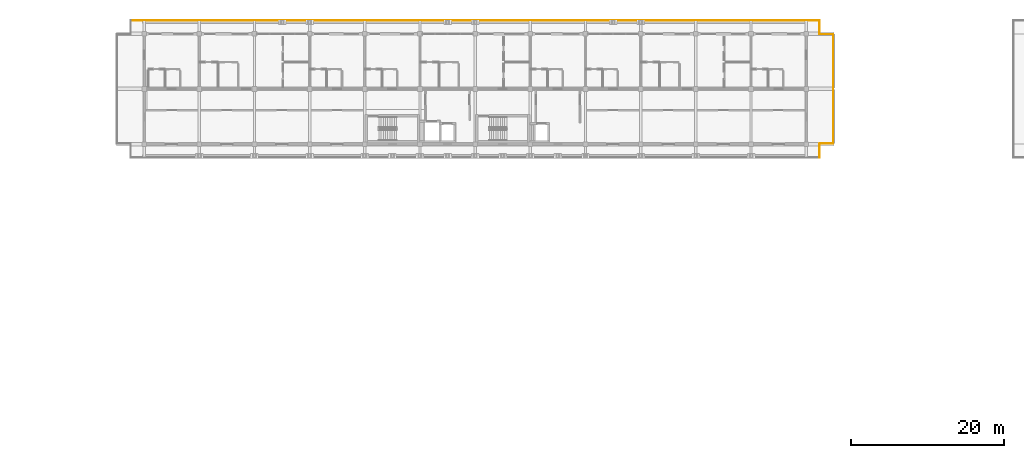
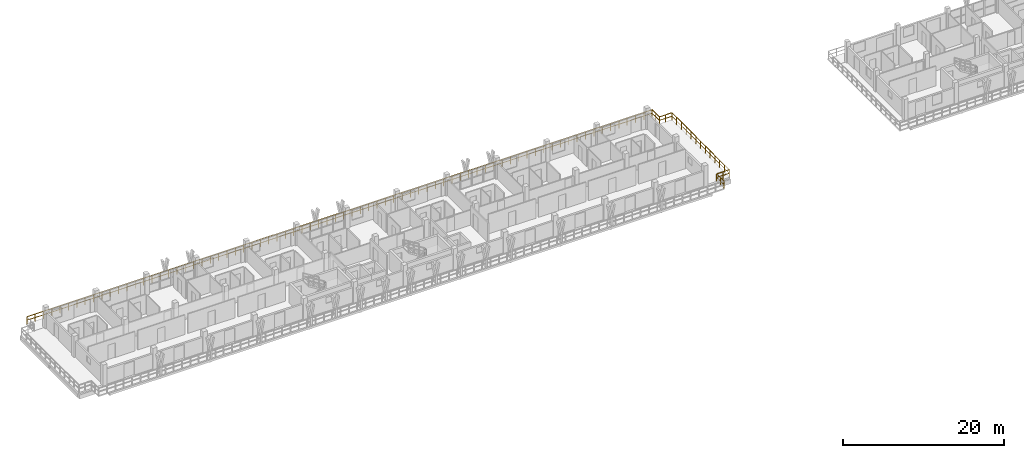
# One storey, part 58 of 65: 6 railings.
"""IFC4 building model written with IfcOpenShell, lengths in metres."""

from ifc_helpers import new_model, si_unit, direction, frame, origin, origin_2d, place, context, subcontext, project, spatial, rectangle, extrude, material, type_object, element, save


model = new_model("IFC4")

# Units and contexts
model_context = context("Model", 3, precision=1e-05, world=origin(), true_north=direction((0.0, 1.0)))
body_context = subcontext(model_context, "Body", "Model", "MODEL_VIEW")
ifc_project = project(units=[si_unit("LENGTHUNIT", "METRE"), si_unit("AREAUNIT", "SQUARE_METRE"), si_unit("VOLUMEUNIT", "CUBIC_METRE"), si_unit("PLANEANGLEUNIT", "RADIAN"), si_unit("MASSUNIT", "GRAM", prefix="KILO")], contexts=[model_context])

# Site, building, storey
site_placement = place(None, origin())
site = spatial("IfcSite", under=ifc_project, at=site_placement, CompositionType="ELEMENT")
building_placement = place(site_placement, origin())
building = spatial("IfcBuilding", under=site, at=building_placement, Name="Suanplinth Sawtooth Commons", CompositionType="ELEMENT")
storey_placement = place(building_placement, frame((0.0, 0.0, 28.300048828125)))
storey = spatial("IfcBuildingStorey", under=building, at=storey_placement, Name="L08", CompositionType="ELEMENT", Elevation=28.300048828125)

# Railings
ifc_material = material(Name="Powder-coated galvanized steel", Category="steel")
railing_type = type_object("IfcRailingType", Name="GR-01", PredefinedType="BALUSTRADE", material=ifc_material)
railing_1_placement = place(storey_placement, frame((12.659912109375, 124.139892578125, 0.0)))
element("IfcRailing", 1, at=railing_1_placement, inside=storey, type_object=railing_type, Name="L08 Block A Perimeter Balustrade 5", PredefinedType="BALUSTRADE", context=body_context, shape_type="SweptSolid", body=[
    extrude(rectangle(XDim=0.048095703125, YDim=0.048095703125, at=origin_2d()), frame((0.0, 0.0, 1.09619140625), z_axis=(1.0, 0.0, 0.0), x_axis=(0.0, 1.0, 0.0)), (0.0, 0.0, 1.0), 89.880126953125),
    extrude(rectangle(XDim=0.03369140625, YDim=0.03369140625, at=origin_2d()), frame((0.0, 0.0, 0.56005859375), z_axis=(1.0, 0.0, 0.0), x_axis=(0.0, 1.0, 0.0)), (0.0, 0.0, 1.0), 89.880126953125),
    extrude(rectangle(XDim=0.0419921875, YDim=0.0419921875, at=origin_2d()), origin(), (0.0, 0.0, 1.0), 1.072021484375),
    extrude(rectangle(XDim=0.0419921875, YDim=0.0419921875, at=origin_2d()), frame((1.198486328125, 0.0, 0.0)), (0.0, 0.0, 1.0), 1.072021484375),
    extrude(rectangle(XDim=0.0419921875, YDim=0.0419921875, at=origin_2d()), frame((2.396728515625, 0.0, 0.0)), (0.0, 0.0, 1.0), 1.072021484375),
    extrude(rectangle(XDim=0.0419921875, YDim=0.0419921875, at=origin_2d()), frame((3.59521484375, 0.0, 0.0)), (0.0, 0.0, 1.0), 1.072021484375),
    extrude(rectangle(XDim=0.0419921875, YDim=0.0419921875, at=origin_2d()), frame((4.793701171875, 0.0, 0.0)), (0.0, 0.0, 1.0), 1.072021484375),
    extrude(rectangle(XDim=0.0419921875, YDim=0.0419921875, at=origin_2d()), frame((5.991943359375, 0.0, 0.0)), (0.0, 0.0, 1.0), 1.072021484375),
    extrude(rectangle(XDim=0.0419921875, YDim=0.0419921875, at=origin_2d()), frame((7.1904296875, 0.0, 0.0)), (0.0, 0.0, 1.0), 1.072021484375),
    extrude(rectangle(XDim=0.0419921875, YDim=0.0419921875, at=origin_2d()), frame((8.388916015625, 0.0, 0.0)), (0.0, 0.0, 1.0), 1.072021484375),
    extrude(rectangle(XDim=0.0419921875, YDim=0.0419921875, at=origin_2d()), frame((9.587158203125, 0.0, 0.0)), (0.0, 0.0, 1.0), 1.072021484375),
    extrude(rectangle(XDim=0.0419921875, YDim=0.0419921875, at=origin_2d()), frame((10.78564453125, 0.0, 0.0)), (0.0, 0.0, 1.0), 1.072021484375),
    extrude(rectangle(XDim=0.0419921875, YDim=0.0419921875, at=origin_2d()), frame((11.984130859375, 0.0, 0.0)), (0.0, 0.0, 1.0), 1.072021484375),
    extrude(rectangle(XDim=0.0419921875, YDim=0.0419921875, at=origin_2d()), frame((13.182373046875, 0.0, 0.0)), (0.0, 0.0, 1.0), 1.072021484375),
    extrude(rectangle(XDim=0.0419921875, YDim=0.0419921875, at=origin_2d()), frame((14.380859375, 0.0, 0.0)), (0.0, 0.0, 1.0), 1.072021484375),
    extrude(rectangle(XDim=0.0419921875, YDim=0.0419921875, at=origin_2d()), frame((15.5791015625, 0.0, 0.0)), (0.0, 0.0, 1.0), 1.072021484375),
    extrude(rectangle(XDim=0.0419921875, YDim=0.0419921875, at=origin_2d()), frame((16.777587890625, 0.0, 0.0)), (0.0, 0.0, 1.0), 1.072021484375),
    extrude(rectangle(XDim=0.0419921875, YDim=0.0419921875, at=origin_2d()), frame((17.97607421875, 0.0, 0.0)), (0.0, 0.0, 1.0), 1.072021484375),
    extrude(rectangle(XDim=0.0419921875, YDim=0.0419921875, at=origin_2d()), frame((19.17431640625, 0.0, 0.0)), (0.0, 0.0, 1.0), 1.072021484375),
    extrude(rectangle(XDim=0.0419921875, YDim=0.0419921875, at=origin_2d()), frame((20.372802734375, 0.0, 0.0)), (0.0, 0.0, 1.0), 1.072021484375),
    extrude(rectangle(XDim=0.0419921875, YDim=0.0419921875, at=origin_2d()), frame((21.5712890625, 0.0, 0.0)), (0.0, 0.0, 1.0), 1.072021484375),
    extrude(rectangle(XDim=0.0419921875, YDim=0.0419921875, at=origin_2d()), frame((22.76953125, 0.0, 0.0)), (0.0, 0.0, 1.0), 1.072021484375),
    extrude(rectangle(XDim=0.0419921875, YDim=0.0419921875, at=origin_2d()), frame((23.968017578125, 0.0, 0.0)), (0.0, 0.0, 1.0), 1.072021484375),
    extrude(rectangle(XDim=0.0419921875, YDim=0.0419921875, at=origin_2d()), frame((25.16650390625, 0.0, 0.0)), (0.0, 0.0, 1.0), 1.072021484375),
    extrude(rectangle(XDim=0.0419921875, YDim=0.0419921875, at=origin_2d()), frame((26.36474609375, 0.0, 0.0)), (0.0, 0.0, 1.0), 1.072021484375),
    extrude(rectangle(XDim=0.0419921875, YDim=0.0419921875, at=origin_2d()), frame((27.563232421875, 0.0, 0.0)), (0.0, 0.0, 1.0), 1.072021484375),
    extrude(rectangle(XDim=0.0419921875, YDim=0.0419921875, at=origin_2d()), frame((28.76171875, 0.0, 0.0)), (0.0, 0.0, 1.0), 1.072021484375),
    extrude(rectangle(XDim=0.0419921875, YDim=0.0419921875, at=origin_2d()), frame((29.9599609375, 0.0, 0.0)), (0.0, 0.0, 1.0), 1.072021484375),
    extrude(rectangle(XDim=0.0419921875, YDim=0.0419921875, at=origin_2d()), frame((31.158447265625, 0.0, 0.0)), (0.0, 0.0, 1.0), 1.072021484375),
    extrude(rectangle(XDim=0.0419921875, YDim=0.0419921875, at=origin_2d()), frame((32.35693359375, 0.0, 0.0)), (0.0, 0.0, 1.0), 1.072021484375),
    extrude(rectangle(XDim=0.0419921875, YDim=0.0419921875, at=origin_2d()), frame((33.55517578125, 0.0, 0.0)), (0.0, 0.0, 1.0), 1.072021484375),
    extrude(rectangle(XDim=0.0419921875, YDim=0.0419921875, at=origin_2d()), frame((34.753662109375, 0.0, 0.0)), (0.0, 0.0, 1.0), 1.072021484375),
    extrude(rectangle(XDim=0.0419921875, YDim=0.0419921875, at=origin_2d()), frame((35.9521484375, 0.0, 0.0)), (0.0, 0.0, 1.0), 1.072021484375),
    extrude(rectangle(XDim=0.0419921875, YDim=0.0419921875, at=origin_2d()), frame((37.150390625, 0.0, 0.0)), (0.0, 0.0, 1.0), 1.072021484375),
    extrude(rectangle(XDim=0.0419921875, YDim=0.0419921875, at=origin_2d()), frame((38.348876953125, 0.0, 0.0)), (0.0, 0.0, 1.0), 1.072021484375),
    extrude(rectangle(XDim=0.0419921875, YDim=0.0419921875, at=origin_2d()), frame((39.54736328125, 0.0, 0.0)), (0.0, 0.0, 1.0), 1.072021484375),
    extrude(rectangle(XDim=0.0419921875, YDim=0.0419921875, at=origin_2d()), frame((40.74560546875, 0.0, 0.0)), (0.0, 0.0, 1.0), 1.072021484375),
    extrude(rectangle(XDim=0.0419921875, YDim=0.0419921875, at=origin_2d()), frame((41.944091796875, 0.0, 0.0)), (0.0, 0.0, 1.0), 1.072021484375),
    extrude(rectangle(XDim=0.0419921875, YDim=0.0419921875, at=origin_2d()), frame((43.142578125, 0.0, 0.0)), (0.0, 0.0, 1.0), 1.072021484375),
    extrude(rectangle(XDim=0.0419921875, YDim=0.0419921875, at=origin_2d()), frame((44.3408203125, 0.0, 0.0)), (0.0, 0.0, 1.0), 1.072021484375),
    extrude(rectangle(XDim=0.0419921875, YDim=0.0419921875, at=origin_2d()), frame((45.539306640625, 0.0, 0.0)), (0.0, 0.0, 1.0), 1.072021484375),
    extrude(rectangle(XDim=0.0419921875, YDim=0.0419921875, at=origin_2d()), frame((46.737548828125, 0.0, 0.0)), (0.0, 0.0, 1.0), 1.072021484375),
    extrude(rectangle(XDim=0.0419921875, YDim=0.0419921875, at=origin_2d()), frame((47.93603515625, 0.0, 0.0)), (0.0, 0.0, 1.0), 1.072021484375),
    extrude(rectangle(XDim=0.0419921875, YDim=0.0419921875, at=origin_2d()), frame((49.134521484375, 0.0, 0.0)), (0.0, 0.0, 1.0), 1.072021484375),
    extrude(rectangle(XDim=0.0419921875, YDim=0.0419921875, at=origin_2d()), frame((50.332763671875, 0.0, 0.0)), (0.0, 0.0, 1.0), 1.072021484375),
    extrude(rectangle(XDim=0.0419921875, YDim=0.0419921875, at=origin_2d()), frame((51.53125, 0.0, 0.0)), (0.0, 0.0, 1.0), 1.072021484375),
    extrude(rectangle(XDim=0.0419921875, YDim=0.0419921875, at=origin_2d()), frame((52.729736328125, 0.0, 0.0)), (0.0, 0.0, 1.0), 1.072021484375),
    extrude(rectangle(XDim=0.0419921875, YDim=0.0419921875, at=origin_2d()), frame((53.927978515625, 0.0, 0.0)), (0.0, 0.0, 1.0), 1.072021484375),
    extrude(rectangle(XDim=0.0419921875, YDim=0.0419921875, at=origin_2d()), frame((55.12646484375, 0.0, 0.0)), (0.0, 0.0, 1.0), 1.072021484375),
    extrude(rectangle(XDim=0.0419921875, YDim=0.0419921875, at=origin_2d()), frame((56.324951171875, 0.0, 0.0)), (0.0, 0.0, 1.0), 1.072021484375),
    extrude(rectangle(XDim=0.0419921875, YDim=0.0419921875, at=origin_2d()), frame((57.523193359375, 0.0, 0.0)), (0.0, 0.0, 1.0), 1.072021484375),
    extrude(rectangle(XDim=0.0419921875, YDim=0.0419921875, at=origin_2d()), frame((58.7216796875, 0.0, 0.0)), (0.0, 0.0, 1.0), 1.072021484375),
    extrude(rectangle(XDim=0.0419921875, YDim=0.0419921875, at=origin_2d()), frame((59.920166015625, 0.0, 0.0)), (0.0, 0.0, 1.0), 1.072021484375),
    extrude(rectangle(XDim=0.0419921875, YDim=0.0419921875, at=origin_2d()), frame((61.118408203125, 0.0, 0.0)), (0.0, 0.0, 1.0), 1.072021484375),
    extrude(rectangle(XDim=0.0419921875, YDim=0.0419921875, at=origin_2d()), frame((62.31689453125, 0.0, 0.0)), (0.0, 0.0, 1.0), 1.072021484375),
    extrude(rectangle(XDim=0.0419921875, YDim=0.0419921875, at=origin_2d()), frame((63.515380859375, 0.0, 0.0)), (0.0, 0.0, 1.0), 1.072021484375),
    extrude(rectangle(XDim=0.0419921875, YDim=0.0419921875, at=origin_2d()), frame((64.713623046875, 0.0, 0.0)), (0.0, 0.0, 1.0), 1.072021484375),
    extrude(rectangle(XDim=0.0419921875, YDim=0.0419921875, at=origin_2d()), frame((65.912109375, 0.0, 0.0)), (0.0, 0.0, 1.0), 1.072021484375),
    extrude(rectangle(XDim=0.0419921875, YDim=0.0419921875, at=origin_2d()), frame((67.110595703125, 0.0, 0.0)), (0.0, 0.0, 1.0), 1.072021484375),
    extrude(rectangle(XDim=0.0419921875, YDim=0.0419921875, at=origin_2d()), frame((68.308837890625, 0.0, 0.0)), (0.0, 0.0, 1.0), 1.072021484375),
    extrude(rectangle(XDim=0.0419921875, YDim=0.0419921875, at=origin_2d()), frame((69.50732421875, 0.0, 0.0)), (0.0, 0.0, 1.0), 1.072021484375),
    extrude(rectangle(XDim=0.0419921875, YDim=0.0419921875, at=origin_2d()), frame((70.705810546875, 0.0, 0.0)), (0.0, 0.0, 1.0), 1.072021484375),
    extrude(rectangle(XDim=0.0419921875, YDim=0.0419921875, at=origin_2d()), frame((71.904052734375, 0.0, 0.0)), (0.0, 0.0, 1.0), 1.072021484375),
    extrude(rectangle(XDim=0.0419921875, YDim=0.0419921875, at=origin_2d()), frame((73.1025390625, 0.0, 0.0)), (0.0, 0.0, 1.0), 1.072021484375),
    extrude(rectangle(XDim=0.0419921875, YDim=0.0419921875, at=origin_2d()), frame((74.301025390625, 0.0, 0.0)), (0.0, 0.0, 1.0), 1.072021484375),
    extrude(rectangle(XDim=0.0419921875, YDim=0.0419921875, at=origin_2d()), frame((75.499267578125, 0.0, 0.0)), (0.0, 0.0, 1.0), 1.072021484375),
    extrude(rectangle(XDim=0.0419921875, YDim=0.0419921875, at=origin_2d()), frame((76.69775390625, 0.0, 0.0)), (0.0, 0.0, 1.0), 1.072021484375),
    extrude(rectangle(XDim=0.0419921875, YDim=0.0419921875, at=origin_2d()), frame((77.89599609375, 0.0, 0.0)), (0.0, 0.0, 1.0), 1.072021484375),
    extrude(rectangle(XDim=0.0419921875, YDim=0.0419921875, at=origin_2d()), frame((79.094482421875, 0.0, 0.0)), (0.0, 0.0, 1.0), 1.072021484375),
    extrude(rectangle(XDim=0.0419921875, YDim=0.0419921875, at=origin_2d()), frame((80.29296875, 0.0, 0.0)), (0.0, 0.0, 1.0), 1.072021484375),
    extrude(rectangle(XDim=0.0419921875, YDim=0.0419921875, at=origin_2d()), frame((81.4912109375, 0.0, 0.0)), (0.0, 0.0, 1.0), 1.072021484375),
    extrude(rectangle(XDim=0.0419921875, YDim=0.0419921875, at=origin_2d()), frame((82.689697265625, 0.0, 0.0)), (0.0, 0.0, 1.0), 1.072021484375),
    extrude(rectangle(XDim=0.0419921875, YDim=0.0419921875, at=origin_2d()), frame((83.88818359375, 0.0, 0.0)), (0.0, 0.0, 1.0), 1.072021484375),
    extrude(rectangle(XDim=0.0419921875, YDim=0.0419921875, at=origin_2d()), frame((85.08642578125, 0.0, 0.0)), (0.0, 0.0, 1.0), 1.072021484375),
    extrude(rectangle(XDim=0.0419921875, YDim=0.0419921875, at=origin_2d()), frame((86.284912109375, 0.0, 0.0)), (0.0, 0.0, 1.0), 1.072021484375),
    extrude(rectangle(XDim=0.0419921875, YDim=0.0419921875, at=origin_2d()), frame((87.4833984375, 0.0, 0.0)), (0.0, 0.0, 1.0), 1.072021484375),
    extrude(rectangle(XDim=0.0419921875, YDim=0.0419921875, at=origin_2d()), frame((88.681640625, 0.0, 0.0)), (0.0, 0.0, 1.0), 1.072021484375),
    extrude(rectangle(XDim=0.0419921875, YDim=0.0419921875, at=origin_2d()), frame((89.880126953125, 0.0, 0.0)), (0.0, 0.0, 1.0), 1.072021484375),
])
railing_2_placement = place(storey_placement, frame((102.5400390625, 124.139892578125, 0.0)))
element("IfcRailing", 2, at=railing_2_placement, inside=storey, type_object=railing_type, Name="L08 Block A Perimeter Balustrade 6", PredefinedType="BALUSTRADE", context=body_context, shape_type="SweptSolid", body=[
    extrude(rectangle(XDim=0.048095703125, YDim=0.048095703125, at=origin_2d()), frame((0.0, 0.0, 1.09619140625), z_axis=(0.0, -1.0, 0.0), x_axis=(1.0, 0.0, 0.0)), (0.0, 0.0, 1.0), 1.7998046875),
    extrude(rectangle(XDim=0.03369140625, YDim=0.03369140625, at=origin_2d()), frame((0.0, 0.0, 0.56005859375), z_axis=(0.0, -1.0, 0.0), x_axis=(1.0, 0.0, 0.0)), (0.0, 0.0, 1.0), 1.7998046875),
    extrude(rectangle(XDim=0.0419921875, YDim=0.0419921875, at=origin_2d()), origin(), (0.0, 0.0, 1.0), 1.072021484375),
    extrude(rectangle(XDim=0.0419921875, YDim=0.0419921875, at=origin_2d()), frame((0.0, -0.89990234375, 0.0)), (0.0, 0.0, 1.0), 1.072021484375),
    extrude(rectangle(XDim=0.0419921875, YDim=0.0419921875, at=origin_2d()), frame((0.0, -1.7998046875, 0.0)), (0.0, 0.0, 1.0), 1.072021484375),
])
railing_3_placement = place(storey_placement, frame((102.5400390625, 122.340087890625, 0.0)))
element("IfcRailing", 3, at=railing_3_placement, inside=storey, type_object=railing_type, Name="L08 Block A Perimeter Balustrade 7", PredefinedType="BALUSTRADE", context=body_context, shape_type="SweptSolid", body=[
    extrude(rectangle(XDim=0.048095703125, YDim=0.048095703125, at=origin_2d()), frame((0.0, 0.0, 1.09619140625), z_axis=(1.0, 0.0, 0.0), x_axis=(0.0, 1.0, 0.0)), (0.0, 0.0, 1.0), 1.800048828125),
    extrude(rectangle(XDim=0.03369140625, YDim=0.03369140625, at=origin_2d()), frame((0.0, 0.0, 0.56005859375), z_axis=(1.0, 0.0, 0.0), x_axis=(0.0, 1.0, 0.0)), (0.0, 0.0, 1.0), 1.800048828125),
    extrude(rectangle(XDim=0.0419921875, YDim=0.0419921875, at=origin_2d()), origin(), (0.0, 0.0, 1.0), 1.072021484375),
    extrude(rectangle(XDim=0.0419921875, YDim=0.0419921875, at=origin_2d()), frame((0.89990234375, 0.0, 0.0)), (0.0, 0.0, 1.0), 1.072021484375),
    extrude(rectangle(XDim=0.0419921875, YDim=0.0419921875, at=origin_2d()), frame((1.800048828125, 0.0, 0.0)), (0.0, 0.0, 1.0), 1.072021484375),
])
railing_4_placement = place(storey_placement, frame((104.340087890625, 122.340087890625, 0.0)))
element("IfcRailing", 4, at=railing_4_placement, inside=storey, type_object=railing_type, Name="L08 Block A Perimeter Balustrade 8", PredefinedType="BALUSTRADE", context=body_context, shape_type="SweptSolid", body=[
    extrude(rectangle(XDim=0.048095703125, YDim=0.048095703125, at=origin_2d()), frame((0.0, 0.0, 1.09619140625), z_axis=(0.0, -1.0, 0.0), x_axis=(1.0, 0.0, 0.0)), (0.0, 0.0, 1.0), 14.280029296875),
    extrude(rectangle(XDim=0.03369140625, YDim=0.03369140625, at=origin_2d()), frame((0.0, 0.0, 0.56005859375), z_axis=(0.0, -1.0, 0.0), x_axis=(1.0, 0.0, 0.0)), (0.0, 0.0, 1.0), 14.280029296875),
    extrude(rectangle(XDim=0.0419921875, YDim=0.0419921875, at=origin_2d()), origin(), (0.0, 0.0, 1.0), 1.072021484375),
    extrude(rectangle(XDim=0.0419921875, YDim=0.0419921875, at=origin_2d()), frame((0.0, -1.18994140625, 0.0)), (0.0, 0.0, 1.0), 1.072021484375),
    extrude(rectangle(XDim=0.0419921875, YDim=0.0419921875, at=origin_2d()), frame((0.0, -2.3798828125, 0.0)), (0.0, 0.0, 1.0), 1.072021484375),
    extrude(rectangle(XDim=0.0419921875, YDim=0.0419921875, at=origin_2d()), frame((0.0, -3.570068359375, 0.0)), (0.0, 0.0, 1.0), 1.072021484375),
    extrude(rectangle(XDim=0.0419921875, YDim=0.0419921875, at=origin_2d()), frame((0.0, -4.760009765625, 0.0)), (0.0, 0.0, 1.0), 1.072021484375),
    extrude(rectangle(XDim=0.0419921875, YDim=0.0419921875, at=origin_2d()), frame((0.0, -5.949951171875, 0.0)), (0.0, 0.0, 1.0), 1.072021484375),
    extrude(rectangle(XDim=0.0419921875, YDim=0.0419921875, at=origin_2d()), frame((0.0, -7.14013671875, 0.0)), (0.0, 0.0, 1.0), 1.072021484375),
    extrude(rectangle(XDim=0.0419921875, YDim=0.0419921875, at=origin_2d()), frame((0.0, -8.330078125, 0.0)), (0.0, 0.0, 1.0), 1.072021484375),
    extrude(rectangle(XDim=0.0419921875, YDim=0.0419921875, at=origin_2d()), frame((0.0, -9.52001953125, 0.0)), (0.0, 0.0, 1.0), 1.072021484375),
    extrude(rectangle(XDim=0.0419921875, YDim=0.0419921875, at=origin_2d()), frame((0.0, -10.7099609375, 0.0)), (0.0, 0.0, 1.0), 1.072021484375),
    extrude(rectangle(XDim=0.0419921875, YDim=0.0419921875, at=origin_2d()), frame((0.0, -11.89990234375, 0.0)), (0.0, 0.0, 1.0), 1.072021484375),
    extrude(rectangle(XDim=0.0419921875, YDim=0.0419921875, at=origin_2d()), frame((0.0, -13.090087890625, 0.0)), (0.0, 0.0, 1.0), 1.072021484375),
    extrude(rectangle(XDim=0.0419921875, YDim=0.0419921875, at=origin_2d()), frame((0.0, -14.280029296875, 0.0)), (0.0, 0.0, 1.0), 1.072021484375),
])
railing_5_placement = place(storey_placement, frame((104.340087890625, 108.06005859375, 0.0)))
element("IfcRailing", 5, at=railing_5_placement, inside=storey, type_object=railing_type, Name="L08 Block A Perimeter Balustrade 9", PredefinedType="BALUSTRADE", context=body_context, shape_type="SweptSolid", body=[
    extrude(rectangle(XDim=0.048095703125, YDim=0.048095703125, at=origin_2d()), frame((0.0, 0.0, 1.09619140625), z_axis=(-1.0, 0.0, 0.0), x_axis=(0.0, -1.0, 0.0)), (0.0, 0.0, 1.0), 1.800048828125),
    extrude(rectangle(XDim=0.03369140625, YDim=0.03369140625, at=origin_2d()), frame((0.0, 0.0, 0.56005859375), z_axis=(-1.0, 0.0, 0.0), x_axis=(0.0, -1.0, 0.0)), (0.0, 0.0, 1.0), 1.800048828125),
    extrude(rectangle(XDim=0.0419921875, YDim=0.0419921875, at=origin_2d()), origin(), (0.0, 0.0, 1.0), 1.072021484375),
    extrude(rectangle(XDim=0.0419921875, YDim=0.0419921875, at=origin_2d()), frame((-0.89990234375, 0.0, 0.0)), (0.0, 0.0, 1.0), 1.072021484375),
    extrude(rectangle(XDim=0.0419921875, YDim=0.0419921875, at=origin_2d()), frame((-1.800048828125, 0.0, 0.0)), (0.0, 0.0, 1.0), 1.072021484375),
])
railing_6_placement = place(storey_placement, frame((102.5400390625, 108.06005859375, 0.0)))
element("IfcRailing", 6, at=railing_6_placement, inside=storey, type_object=railing_type, Name="L08 Block A Perimeter Balustrade 10", PredefinedType="BALUSTRADE", context=body_context, shape_type="SweptSolid", body=[
    extrude(rectangle(XDim=0.048095703125, YDim=0.048095703125, at=origin_2d()), frame((0.0, 0.0, 1.09619140625), z_axis=(0.0, -1.0, 0.0), x_axis=(1.0, 0.0, 0.0)), (0.0, 0.0, 1.0), 1.800048828125),
    extrude(rectangle(XDim=0.03369140625, YDim=0.03369140625, at=origin_2d()), frame((0.0, 0.0, 0.56005859375), z_axis=(0.0, -1.0, 0.0), x_axis=(1.0, 0.0, 0.0)), (0.0, 0.0, 1.0), 1.800048828125),
    extrude(rectangle(XDim=0.0419921875, YDim=0.0419921875, at=origin_2d()), origin(), (0.0, 0.0, 1.0), 1.072021484375),
    extrude(rectangle(XDim=0.0419921875, YDim=0.0419921875, at=origin_2d()), frame((0.0, -0.89990234375, 0.0)), (0.0, 0.0, 1.0), 1.072021484375),
    extrude(rectangle(XDim=0.0419921875, YDim=0.0419921875, at=origin_2d()), frame((0.0, -1.800048828125, 0.0)), (0.0, 0.0, 1.0), 1.072021484375),
])

save(model, "model.ifc")
